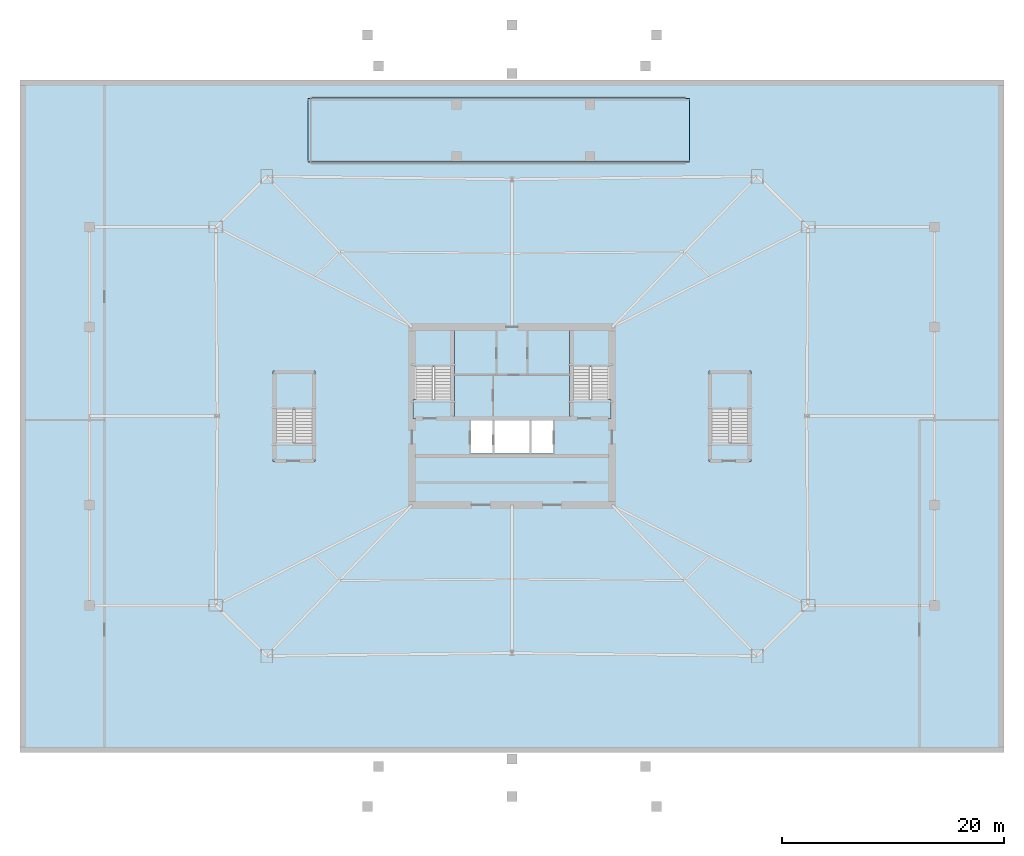
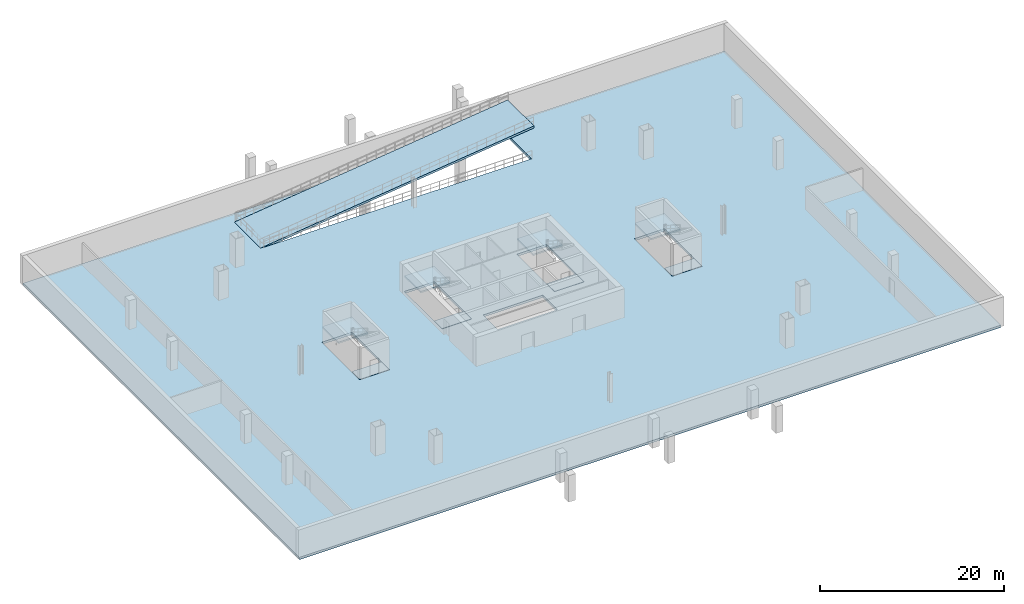
# One storey, part 2 of 9: 10 slabs, 4 elements without a shape of their own.
"""IFC4 building model written with IfcOpenShell, lengths in metres."""

from ifc_helpers import new_model, si_unit, direction, frame, origin, place, context, subcontext, project, spatial, polyline, outline, extrude, material, layer, layer_set, type_object, element, aggregate, save


model = new_model("IFC4")

# Units and contexts
model_context = context("Model", 3, precision=1e-05, world=origin(), true_north=direction((0.0, 1.0)))
body_context = subcontext(model_context, "Body", "Model", "MODEL_VIEW")
ifc_project = project(units=[si_unit("LENGTHUNIT", "METRE"), si_unit("AREAUNIT", "SQUARE_METRE"), si_unit("VOLUMEUNIT", "CUBIC_METRE"), si_unit("PLANEANGLEUNIT", "RADIAN"), si_unit("MASSUNIT", "GRAM", prefix="KILO")], contexts=[model_context])

# Site, building, storey
site_placement = place(None, origin())
site = spatial("IfcSite", under=ifc_project, at=site_placement, CompositionType="ELEMENT")
building_placement = place(site_placement, origin())
building = spatial("IfcBuilding", under=site, at=building_placement, Name="Caelvoria Tower", CompositionType="ELEMENT")
storey_placement = place(building_placement, frame((0.0, 0.0, -4.199951171875)))
storey = spatial("IfcBuildingStorey", under=building, at=storey_placement, Name="B1", CompositionType="ELEMENT", Elevation=-4.199951171875)

# Slab
ifc_material = material(Name="Concrete C40/50", Category="concrete")
ifc_layer_1 = layer(ifc_material, 0.300048828125, Name="Concrete C40/50")
ifc_layer_set_1 = layer_set([ifc_layer_1], Name="Basement Suspended Slab 300 - Concrete C40/50")
slab_type_1 = type_object("IfcSlabType", Name="Basement Suspended Slab 300", PredefinedType="FLOOR", material=ifc_layer_set_1)
slab_1_placement = place(storey_placement, frame((0.0, 0.0, -0.300048828125)))
element("IfcSlab", 1, at=slab_1_placement, inside=storey, type_object=slab_type_1, Name="Level B1 Structural Floor Slab", PredefinedType="FLOOR", context=body_context, shape_type="SweptSolid", body=[
    extrude(outline(polyline([(2.0, 2.0), (90.0, 2.0), (90.0, 62.0), (2.0, 62.0), (2.0, 2.0)]), holes=[polyline([(37.080078125, 31.75), (40.820068359375, 31.75), (40.820068359375, 39.919921875), (37.080078125, 39.919921875), (37.080078125, 31.75)]), polyline([(51.179931640625, 31.75), (54.919921875, 31.75), (54.919921875, 39.919921875), (51.179931640625, 39.919921875), (51.179931640625, 31.75)]), polyline([(42.25, 28.64990234375), (49.75, 28.64990234375), (49.75, 31.800048828125), (42.25, 31.800048828125), (42.25, 28.64990234375)]), polyline([(28.0, 54.800048828125), (61.60009765625, 54.800048828125), (61.60009765625, 60.60009765625), (28.0, 60.60009765625), (28.0, 54.800048828125)]), polyline([(24.52001953125, 27.89990234375), (28.280029296875, 27.89990234375), (28.280029296875, 36.080078125), (24.52001953125, 36.080078125), (24.52001953125, 27.89990234375)]), polyline([(63.719970703125, 27.89990234375), (67.47998046875, 27.89990234375), (67.47998046875, 36.080078125), (63.719970703125, 36.080078125), (63.719970703125, 27.89990234375)])]), origin(), (0.0, 0.0, 1.0), 0.300048828125),
])

# Stair, slabs
stair_type = type_object("IfcStairType", Name="Core Smokeproof Dogleg Stair Concrete C40/50", PredefinedType="HALF_TURN_STAIR", material=ifc_material)
stair_1_placement = place(storey_placement, origin())
stair_1 = element("IfcStair", 2, at=stair_1_placement, inside=storey, type_object=stair_type, Name="ST-01 Smokeproof Exit Stair B1", PredefinedType="HALF_TURN_STAIR")
ifc_layer_2 = layer(ifc_material, 0.199951171875, Name="Concrete C40/50")
ifc_layer_set_2 = layer_set([ifc_layer_2], Name="Stair Half and Floor Landing Slab 200 Concrete C40/50 - Concrete C40/50")
slab_type_2 = type_object("IfcSlabType", Name="Stair Half and Floor Landing Slab 200 Concrete C40/50", PredefinedType="LANDING", material=ifc_layer_set_2)
slab_2_placement = place(storey_placement, frame((0.0, 0.0, -0.199951171875)))
slab_2 = element("IfcSlab", 3, at=slab_2_placement, type_object=slab_type_2, Name="ST-01 landing 1", PredefinedType="LANDING", context=body_context, shape_type="SweptSolid", body=[
    extrude(outline(polyline([(37.10009765625, 31.77001953125), (40.800048828125, 31.77001953125), (40.800048828125, 33.5), (37.10009765625, 33.5), (37.10009765625, 31.77001953125)])), origin(), (0.0, 0.0, 1.0), 0.199951171875),
])
slab_3_placement = place(storey_placement, frame((0.0, 0.0, 1.89990234375)))
slab_3 = element("IfcSlab", 4, at=slab_3_placement, type_object=slab_type_2, Name="ST-01 landing 2", PredefinedType="LANDING", context=body_context, shape_type="SweptSolid", body=[
    extrude(outline(polyline([(37.10009765625, 36.425048828125), (40.800048828125, 36.425048828125), (40.800048828125, 39.89990234375), (37.10009765625, 39.89990234375), (37.10009765625, 36.425048828125)])), origin(), (0.0, 0.0, 1.0), 0.199951171875),
])
aggregate(stair_1, [slab_2, slab_3])

stair_2_placement = place(storey_placement, origin())
stair_2 = element("IfcStair", 5, at=stair_2_placement, inside=storey, type_object=stair_type, Name="ST-02 Smokeproof Exit Stair B1", PredefinedType="HALF_TURN_STAIR")
slab_4_placement = place(storey_placement, frame((0.0, 0.0, -0.199951171875)))
slab_4 = element("IfcSlab", 6, at=slab_4_placement, type_object=slab_type_2, Name="ST-02 landing 1", PredefinedType="LANDING", context=body_context, shape_type="SweptSolid", body=[
    extrude(outline(polyline([(51.199951171875, 31.77001953125), (54.89990234375, 31.77001953125), (54.89990234375, 33.5), (51.199951171875, 33.5), (51.199951171875, 31.77001953125)])), origin(), (0.0, 0.0, 1.0), 0.199951171875),
])
slab_5_placement = place(storey_placement, frame((0.0, 0.0, 1.89990234375)))
slab_5 = element("IfcSlab", 7, at=slab_5_placement, type_object=slab_type_2, Name="ST-02 landing 2", PredefinedType="LANDING", context=body_context, shape_type="SweptSolid", body=[
    extrude(outline(polyline([(51.199951171875, 36.425048828125), (54.89990234375, 36.425048828125), (54.89990234375, 39.89990234375), (51.199951171875, 39.89990234375), (51.199951171875, 36.425048828125)])), origin(), (0.0, 0.0, 1.0), 0.199951171875),
])
aggregate(stair_2, [slab_4, slab_5])

stair_3_placement = place(storey_placement, origin())
stair_3 = element("IfcStair", 8, at=stair_3_placement, inside=storey, type_object=stair_type, Name="ST-03 Smokeproof Exit Stair B1", PredefinedType="HALF_TURN_STAIR")
slab_6_placement = place(storey_placement, frame((0.0, 0.0, -0.199951171875)))
slab_6 = element("IfcSlab", 9, at=slab_6_placement, type_object=slab_type_2, Name="ST-03 landing 1", PredefinedType="LANDING", context=body_context, shape_type="SweptSolid", body=[
    extrude(outline(polyline([(24.550048828125, 27.919921875), (28.25, 27.919921875), (28.25, 29.64990234375), (24.550048828125, 29.64990234375), (24.550048828125, 27.919921875)])), origin(), (0.0, 0.0, 1.0), 0.199951171875),
])
slab_7_placement = place(storey_placement, frame((0.0, 0.0, 1.89990234375)))
slab_7 = element("IfcSlab", 10, at=slab_7_placement, type_object=slab_type_2, Name="ST-03 landing 2", PredefinedType="LANDING", context=body_context, shape_type="SweptSolid", body=[
    extrude(outline(polyline([(24.550048828125, 32.574951171875), (28.25, 32.574951171875), (28.25, 36.050048828125), (24.550048828125, 36.050048828125), (24.550048828125, 32.574951171875)])), origin(), (0.0, 0.0, 1.0), 0.199951171875),
])
aggregate(stair_3, [slab_6, slab_7])

stair_4_placement = place(storey_placement, origin())
stair_4 = element("IfcStair", 11, at=stair_4_placement, inside=storey, type_object=stair_type, Name="ST-04 Smokeproof Exit Stair B1", PredefinedType="HALF_TURN_STAIR")
slab_8_placement = place(storey_placement, frame((0.0, 0.0, -0.199951171875)))
slab_8 = element("IfcSlab", 12, at=slab_8_placement, type_object=slab_type_2, Name="ST-04 landing 1", PredefinedType="LANDING", context=body_context, shape_type="SweptSolid", body=[
    extrude(outline(polyline([(63.75, 27.919921875), (67.449951171875, 27.919921875), (67.449951171875, 29.64990234375), (63.75, 29.64990234375), (63.75, 27.919921875)])), origin(), (0.0, 0.0, 1.0), 0.199951171875),
])
slab_9_placement = place(storey_placement, frame((0.0, 0.0, 1.89990234375)))
slab_9 = element("IfcSlab", 13, at=slab_9_placement, type_object=slab_type_2, Name="ST-04 landing 2", PredefinedType="LANDING", context=body_context, shape_type="SweptSolid", body=[
    extrude(outline(polyline([(63.75, 32.574951171875), (67.449951171875, 32.574951171875), (67.449951171875, 36.050048828125), (63.75, 36.050048828125), (63.75, 32.574951171875)])), origin(), (0.0, 0.0, 1.0), 0.199951171875),
])
aggregate(stair_4, [slab_8, slab_9])

# Slab
ifc_layer_3 = layer(ifc_material, 0.280029296875, Name="Concrete C40/50")
ifc_layer_set_3 = layer_set([ifc_layer_3], Name="Structural Vehicular Ramp Slab 280 - Concrete C40/50")
slab_type_3 = type_object("IfcSlabType", Name="Structural Vehicular Ramp Slab 280", PredefinedType="FLOOR", material=ifc_layer_set_3)
slab_10_placement = place(storey_placement, frame((27.64990234375, 54.85009765625, 0.0), z_axis=(-0.121539627855, 0.0, 0.992586580033), x_axis=(0.992586580033, 0.0, 0.121539627855)))
element("IfcSlab", 14, at=slab_10_placement, inside=storey, type_object=slab_type_3, Name="Ground Vehicular Ramp Slab VR-02", PredefinedType="FLOOR", context=body_context, shape_type="SweptSolid", body=[
    extrude(outline(polyline([(0.0, 0.0), (34.5562286636996, 0.0), (34.5562286636996, 5.699951171874999), (0.0, 5.699951171874999), (0.0, 0.0)])), origin(), (0.0, 0.0, -1.0), 0.280029296875),
])

save(model, "model.ifc")
